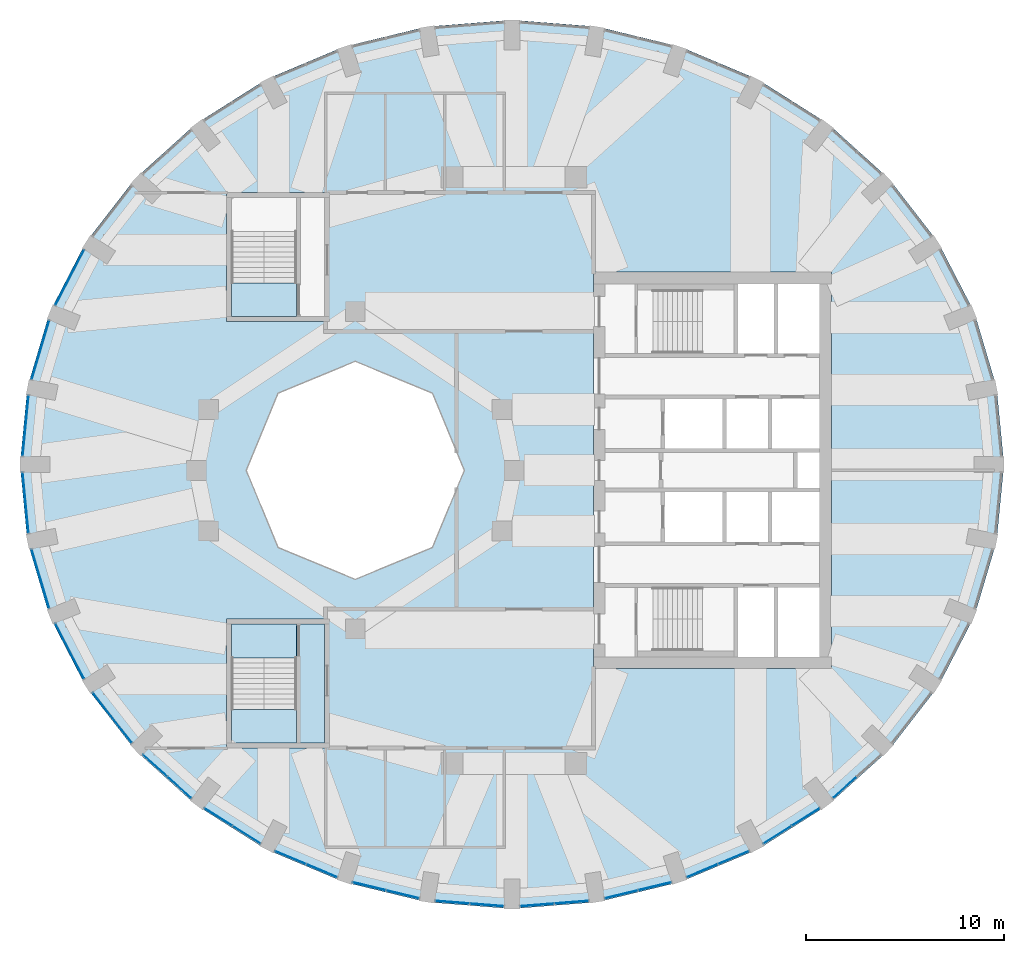
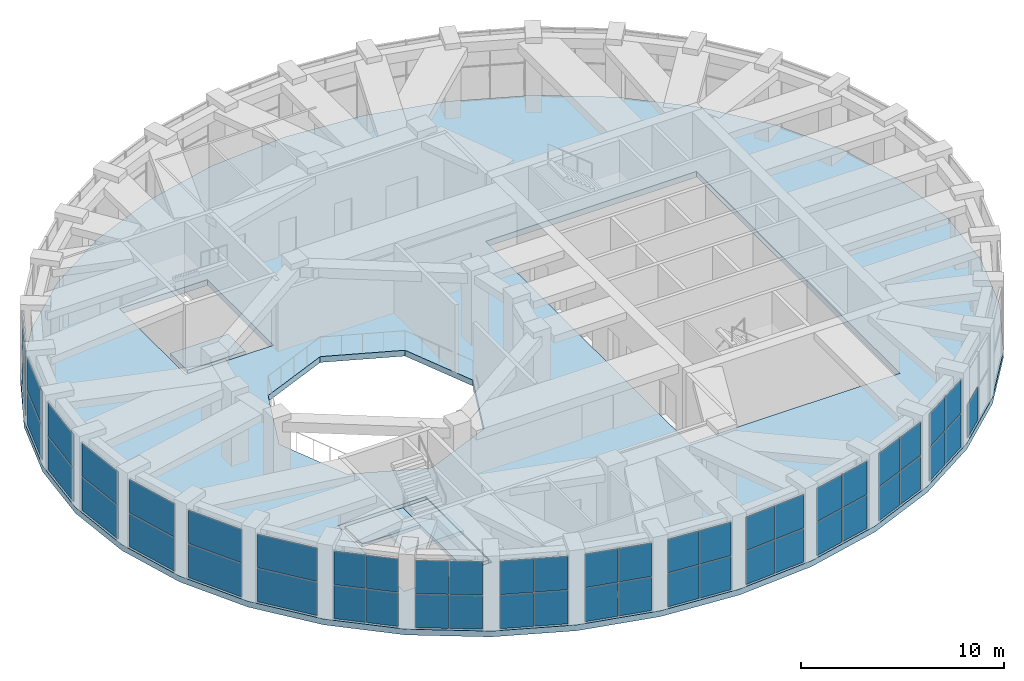
# One storey, part 11 of 17: 51 plates, 5 slabs, 18 elements without a shape of their own.
"""IFC4 building model written with IfcOpenShell, lengths in metres."""

from ifc_helpers import new_model, si_unit, direction, frame, origin, origin_2d, place, context, subcontext, project, spatial, polyline, rectangle, outline, extrude, material, layer, layer_set, type_object, element, aggregate, save


model = new_model("IFC4")

# Units and contexts
model_context = context("Model", 3, precision=1e-05, world=origin(), true_north=direction((0.0, 1.0)))
body_context = subcontext(model_context, "Body", "Model", "MODEL_VIEW")
ifc_project = project(units=[si_unit("LENGTHUNIT", "METRE"), si_unit("AREAUNIT", "SQUARE_METRE"), si_unit("VOLUMEUNIT", "CUBIC_METRE"), si_unit("PLANEANGLEUNIT", "RADIAN"), si_unit("MASSUNIT", "GRAM", prefix="KILO")], contexts=[model_context])

# Site, building, storey
site_placement = place(None, origin())
site = spatial("IfcSite", under=ifc_project, at=site_placement, CompositionType="ELEMENT")
building_placement = place(site_placement, origin())
building = spatial("IfcBuilding", under=site, at=building_placement, Name="Taillehof Tower", CompositionType="ELEMENT")
storey_placement = place(building_placement, frame((0.0, 0.0, 259.699951171875)))
storey = spatial("IfcBuildingStorey", under=building, at=storey_placement, Name="L74", CompositionType="ELEMENT", Elevation=259.699951171875)

# Curtain wall, plates
ifc_material_1 = material(Name="Aluminium curtain wall with Clear low-emissivity double glazing", Category="aluminium")
curtain_wall_type = type_object("IfcCurtainWallType", Name="Club lounge curtain wall", PredefinedType="USERDEFINED", material=ifc_material_1)
curtain_wall_1_placement = place(storey_placement, origin())
curtain_wall_1 = element("IfcCurtainWall", 1, at=curtain_wall_1_placement, inside=storey, type_object=curtain_wall_type, Name="Club lounge L74 bay 16", ObjectType="WINDOW WALL", PredefinedType="USERDEFINED")
ifc_material_2 = material(Name="Clear low-emissivity double glazing", Category="glass")
ifc_layer_1 = layer(ifc_material_2, 0.028076171875)
ifc_layer_set_1 = layer_set([ifc_layer_1], Name="Club lounge glass panel 28")
plate_type = type_object("IfcPlateType", Name="Club lounge glass panel 28", PredefinedType="CURTAIN_PANEL", material=ifc_layer_set_1)
plate_1_placement = place(storey_placement, frame((-22.3974609375, 9.7158203125, 0.050048828125), z_axis=(0.0, 0.0, 1.0), x_axis=(-0.459891218474, -0.887975262702, 0.0)))
plate_1 = element("IfcPlate", 2, at=plate_1_placement, type_object=plate_type, Name="CT4E16 panel 1.1", PredefinedType="CURTAIN_PANEL", context=body_context, shape_type="SweptSolid", body=[
    extrude(rectangle(XDim=3.11083984375, YDim=0.028076171875, at=origin_2d()), origin(), (0.0, 0.0, 1.0), 2.0),
])
plate_2_placement = place(storey_placement, frame((-22.3974609375, 9.7158203125, 2.10009765625), z_axis=(0.0, 0.0, 1.0), x_axis=(-0.459891218474, -0.887975262702, 0.0)))
plate_2 = element("IfcPlate", 3, at=plate_2_placement, type_object=plate_type, Name="CT4E16 panel 1.2", PredefinedType="CURTAIN_PANEL", context=body_context, shape_type="SweptSolid", body=[
    extrude(rectangle(XDim=3.11083984375, YDim=0.028076171875, at=origin_2d()), origin(), (0.0, 0.0, 1.0), 2.0),
])
aggregate(curtain_wall_1, [plate_1, plate_2])

curtain_wall_2_placement = place(storey_placement, origin())
curtain_wall_2 = element("IfcCurtainWall", 4, at=curtain_wall_2_placement, inside=storey, type_object=curtain_wall_type, Name="Club lounge L74 bay 17", ObjectType="WINDOW WALL", PredefinedType="USERDEFINED")
plate_3_placement = place(storey_placement, frame((-23.87158203125, 6.068603515625, 0.050048828125), z_axis=(0.0, 0.0, 1.0), x_axis=(-0.285235558707, -0.958457446134, 0.0)))
plate_3 = element("IfcPlate", 5, at=plate_3_placement, type_object=plate_type, Name="CT4E17 panel 1.1", PredefinedType="CURTAIN_PANEL", context=body_context, shape_type="SweptSolid", body=[
    extrude(rectangle(XDim=3.06494140625, YDim=0.028076171875, at=origin_2d()), origin(), (0.0, 0.0, 1.0), 2.0),
])
plate_4_placement = place(storey_placement, frame((-23.87158203125, 6.068603515625, 2.10009765625), z_axis=(0.0, 0.0, 1.0), x_axis=(-0.285235558707, -0.958457446134, 0.0)))
plate_4 = element("IfcPlate", 6, at=plate_4_placement, type_object=plate_type, Name="CT4E17 panel 1.2", PredefinedType="CURTAIN_PANEL", context=body_context, shape_type="SweptSolid", body=[
    extrude(rectangle(XDim=3.06494140625, YDim=0.028076171875, at=origin_2d()), origin(), (0.0, 0.0, 1.0), 2.0),
])
aggregate(curtain_wall_2, [plate_3, plate_4])

curtain_wall_3_placement = place(storey_placement, origin())
curtain_wall_3 = element("IfcCurtainWall", 7, at=curtain_wall_3_placement, inside=storey, type_object=curtain_wall_type, Name="Club lounge L74 bay 18", ObjectType="WINDOW WALL", PredefinedType="USERDEFINED")
plate_5_placement = place(storey_placement, frame((-24.620849609375, 2.242919921875, 0.050048828125), z_axis=(0.0, 0.0, 1.0), x_axis=(-0.0967136211, -0.995312250248, 0.0)))
plate_5 = element("IfcPlate", 8, at=plate_5_placement, type_object=plate_type, Name="CT4E18 panel 1.1", PredefinedType="CURTAIN_PANEL", context=body_context, shape_type="SweptSolid", body=[
    extrude(rectangle(XDim=3.04052734375, YDim=0.028076171875, at=origin_2d()), origin(), (0.0, 0.0, 1.0), 2.0),
])
plate_6_placement = place(storey_placement, frame((-24.620849609375, 2.242919921875, 2.10009765625), z_axis=(0.0, 0.0, 1.0), x_axis=(-0.0967136211, -0.995312250248, 0.0)))
plate_6 = element("IfcPlate", 9, at=plate_6_placement, type_object=plate_type, Name="CT4E18 panel 1.2", PredefinedType="CURTAIN_PANEL", context=body_context, shape_type="SweptSolid", body=[
    extrude(rectangle(XDim=3.04052734375, YDim=0.028076171875, at=origin_2d()), origin(), (0.0, 0.0, 1.0), 2.0),
])
aggregate(curtain_wall_3, [plate_5, plate_6])

curtain_wall_4_placement = place(storey_placement, origin())
curtain_wall_4 = element("IfcCurtainWall", 10, at=curtain_wall_4_placement, inside=storey, type_object=curtain_wall_type, Name="Club lounge L74 bay 19", ObjectType="WINDOW WALL", PredefinedType="USERDEFINED")
plate_7_placement = place(storey_placement, frame((-24.620849609375, -1.64306640625, 0.050048828125), z_axis=(0.0, 0.0, 1.0), x_axis=(0.0967136211, -0.995312250248, 0.0)))
plate_7 = element("IfcPlate", 11, at=plate_7_placement, type_object=plate_type, Name="CT4E19 panel 1.1", PredefinedType="CURTAIN_PANEL", context=body_context, shape_type="SweptSolid", body=[
    extrude(rectangle(XDim=3.04052734375, YDim=0.028076171875, at=origin_2d()), origin(), (0.0, 0.0, 1.0), 2.0),
])
plate_8_placement = place(storey_placement, frame((-24.620849609375, -1.64306640625, 2.10009765625), z_axis=(0.0, 0.0, 1.0), x_axis=(0.0967136211, -0.995312250248, 0.0)))
plate_8 = element("IfcPlate", 12, at=plate_8_placement, type_object=plate_type, Name="CT4E19 panel 1.2", PredefinedType="CURTAIN_PANEL", context=body_context, shape_type="SweptSolid", body=[
    extrude(rectangle(XDim=3.04052734375, YDim=0.028076171875, at=origin_2d()), origin(), (0.0, 0.0, 1.0), 2.0),
])
aggregate(curtain_wall_4, [plate_7, plate_8])

curtain_wall_5_placement = place(storey_placement, origin())
curtain_wall_5 = element("IfcCurtainWall", 13, at=curtain_wall_5_placement, inside=storey, type_object=curtain_wall_type, Name="Club lounge L74 bay 20", ObjectType="WINDOW WALL", PredefinedType="USERDEFINED")
plate_9_placement = place(storey_placement, frame((-23.87158203125, -5.468505859375, 0.050048828125), z_axis=(0.0, 0.0, 1.0), x_axis=(0.285235558707, -0.958457446134, 0.0)))
plate_9 = element("IfcPlate", 14, at=plate_9_placement, type_object=plate_type, Name="CT4E20 panel 1.1", PredefinedType="CURTAIN_PANEL", context=body_context, shape_type="SweptSolid", body=[
    extrude(rectangle(XDim=3.06494140625, YDim=0.028076171875, at=origin_2d()), origin(), (0.0, 0.0, 1.0), 2.0),
])
plate_10_placement = place(storey_placement, frame((-23.87158203125, -5.468505859375, 2.10009765625), z_axis=(0.0, 0.0, 1.0), x_axis=(0.285235558707, -0.958457446134, 0.0)))
plate_10 = element("IfcPlate", 15, at=plate_10_placement, type_object=plate_type, Name="CT4E20 panel 1.2", PredefinedType="CURTAIN_PANEL", context=body_context, shape_type="SweptSolid", body=[
    extrude(rectangle(XDim=3.06494140625, YDim=0.028076171875, at=origin_2d()), origin(), (0.0, 0.0, 1.0), 2.0),
])
aggregate(curtain_wall_5, [plate_9, plate_10])

curtain_wall_6_placement = place(storey_placement, origin())
curtain_wall_6 = element("IfcCurtainWall", 16, at=curtain_wall_6_placement, inside=storey, type_object=curtain_wall_type, Name="Club lounge L74 bay 21", ObjectType="WINDOW WALL", PredefinedType="USERDEFINED")
plate_11_placement = place(storey_placement, frame((-22.3974609375, -9.11572265625, 0.050048828125), z_axis=(0.0, 0.0, 1.0), x_axis=(0.459891218474, -0.887975262702, 0.0)))
plate_11 = element("IfcPlate", 17, at=plate_11_placement, type_object=plate_type, Name="CT4E21 panel 1.1", PredefinedType="CURTAIN_PANEL", context=body_context, shape_type="SweptSolid", body=[
    extrude(rectangle(XDim=3.11083984375, YDim=0.028076171875, at=origin_2d()), origin(), (0.0, 0.0, 1.0), 2.0),
])
plate_12_placement = place(storey_placement, frame((-22.3974609375, -9.11572265625, 2.10009765625), z_axis=(0.0, 0.0, 1.0), x_axis=(0.459891218474, -0.887975262702, 0.0)))
plate_12 = element("IfcPlate", 18, at=plate_12_placement, type_object=plate_type, Name="CT4E21 panel 1.2", PredefinedType="CURTAIN_PANEL", context=body_context, shape_type="SweptSolid", body=[
    extrude(rectangle(XDim=3.11083984375, YDim=0.028076171875, at=origin_2d()), origin(), (0.0, 0.0, 1.0), 2.0),
])
aggregate(curtain_wall_6, [plate_11, plate_12])

curtain_wall_7_placement = place(storey_placement, origin())
curtain_wall_7 = element("IfcCurtainWall", 19, at=curtain_wall_7_placement, inside=storey, type_object=curtain_wall_type, Name="Club lounge L74 bay 22", ObjectType="WINDOW WALL", PredefinedType="USERDEFINED")
plate_13_placement = place(storey_placement, frame((-20.2451171875, -12.472900390625, 0.050048828125), z_axis=(0.0, 0.0, 1.0), x_axis=(0.613902818005, -0.789381612432, 0.0)))
plate_13 = element("IfcPlate", 20, at=plate_13_placement, type_object=plate_type, Name="CT4E22 panel 1.1", PredefinedType="CURTAIN_PANEL", context=body_context, shape_type="SweptSolid", body=[
    extrude(rectangle(XDim=3.171630859375, YDim=0.028076171875, at=origin_2d()), origin(), (0.0, 0.0, 1.0), 2.0),
])
plate_14_placement = place(storey_placement, frame((-20.2451171875, -12.472900390625, 2.10009765625), z_axis=(0.0, 0.0, 1.0), x_axis=(0.613902818005, -0.789381612432, 0.0)))
plate_14 = element("IfcPlate", 21, at=plate_14_placement, type_object=plate_type, Name="CT4E22 panel 1.2", PredefinedType="CURTAIN_PANEL", context=body_context, shape_type="SweptSolid", body=[
    extrude(rectangle(XDim=3.171630859375, YDim=0.028076171875, at=origin_2d()), origin(), (0.0, 0.0, 1.0), 2.0),
])
aggregate(curtain_wall_7, [plate_13, plate_14])

curtain_wall_8_placement = place(storey_placement, origin())
curtain_wall_8 = element("IfcCurtainWall", 22, at=curtain_wall_8_placement, inside=storey, type_object=curtain_wall_type, Name="Club lounge L74 bay 23", ObjectType="WINDOW WALL", PredefinedType="USERDEFINED")
plate_15_placement = place(storey_placement, frame((-18.09326171875, -14.8876953125, 0.050048828125), z_axis=(0.0, 0.0, 1.0), x_axis=(0.74316593792, -0.669107157872, 0.0)))
plate_15 = element("IfcPlate", 23, at=plate_15_placement, type_object=plate_type, Name="CT4E23 panel 1.1", PredefinedType="CURTAIN_PANEL", context=body_context, shape_type="SweptSolid", body=[
    extrude(rectangle(XDim=1.594970703125, YDim=0.028076171875, at=origin_2d()), origin(), (0.0, 0.0, 1.0), 2.0),
])
plate_16_placement = place(storey_placement, frame((-18.09326171875, -14.8876953125, 2.10009765625), z_axis=(0.0, 0.0, 1.0), x_axis=(0.74316593792, -0.669107157872, 0.0)))
plate_16 = element("IfcPlate", 24, at=plate_16_placement, type_object=plate_type, Name="CT4E23 panel 1.2", PredefinedType="CURTAIN_PANEL", context=body_context, shape_type="SweptSolid", body=[
    extrude(rectangle(XDim=1.594970703125, YDim=0.028076171875, at=origin_2d()), origin(), (0.0, 0.0, 1.0), 2.0),
])
plate_17_placement = place(storey_placement, frame((-16.870849609375, -15.98828125, 0.050048828125), z_axis=(0.0, 0.0, 1.0), x_axis=(0.74316593792, -0.669107157872, 0.0)))
plate_17 = element("IfcPlate", 25, at=plate_17_placement, type_object=plate_type, Name="CT4E23 panel 2.1", PredefinedType="CURTAIN_PANEL", context=body_context, shape_type="SweptSolid", body=[
    extrude(rectangle(XDim=1.594970703125, YDim=0.028076171875, at=origin_2d()), origin(), (0.0, 0.0, 1.0), 2.0),
])
plate_18_placement = place(storey_placement, frame((-16.870849609375, -15.98828125, 2.10009765625), z_axis=(0.0, 0.0, 1.0), x_axis=(0.74316593792, -0.669107157872, 0.0)))
plate_18 = element("IfcPlate", 26, at=plate_18_placement, type_object=plate_type, Name="CT4E23 panel 2.2", PredefinedType="CURTAIN_PANEL", context=body_context, shape_type="SweptSolid", body=[
    extrude(rectangle(XDim=1.594970703125, YDim=0.028076171875, at=origin_2d()), origin(), (0.0, 0.0, 1.0), 2.0),
])
aggregate(curtain_wall_8, [plate_15, plate_16, plate_17, plate_18])

curtain_wall_9_placement = place(storey_placement, origin())
curtain_wall_9 = element("IfcCurtainWall", 27, at=curtain_wall_9_placement, inside=storey, type_object=curtain_wall_type, Name="Club lounge L74 bay 24", ObjectType="WINDOW WALL", PredefinedType="USERDEFINED")
plate_19_placement = place(storey_placement, frame((-14.903564453125, -17.474853515625, 0.050048828125), z_axis=(0.0, 0.0, 1.0), x_axis=(0.845929695916, -0.533294430468, 0.0)))
plate_19 = element("IfcPlate", 28, at=plate_19_placement, type_object=plate_type, Name="CT4E24 panel 1.1", PredefinedType="CURTAIN_PANEL", context=body_context, shape_type="SweptSolid", body=[
    extrude(rectangle(XDim=1.628662109375, YDim=0.028076171875, at=origin_2d()), origin(), (0.0, 0.0, 1.0), 2.0),
])
plate_20_placement = place(storey_placement, frame((-14.903564453125, -17.474853515625, 2.10009765625), z_axis=(0.0, 0.0, 1.0), x_axis=(0.845929695916, -0.533294430468, 0.0)))
plate_20 = element("IfcPlate", 29, at=plate_20_placement, type_object=plate_type, Name="CT4E24 panel 1.2", PredefinedType="CURTAIN_PANEL", context=body_context, shape_type="SweptSolid", body=[
    extrude(rectangle(XDim=1.628662109375, YDim=0.028076171875, at=origin_2d()), origin(), (0.0, 0.0, 1.0), 2.0),
])
plate_21_placement = place(storey_placement, frame((-13.483642578125, -18.3701171875, 0.050048828125), z_axis=(0.0, 0.0, 1.0), x_axis=(0.845929695916, -0.533294430468, 0.0)))
plate_21 = element("IfcPlate", 30, at=plate_21_placement, type_object=plate_type, Name="CT4E24 panel 2.1", PredefinedType="CURTAIN_PANEL", context=body_context, shape_type="SweptSolid", body=[
    extrude(rectangle(XDim=1.628662109375, YDim=0.028076171875, at=origin_2d()), origin(), (0.0, 0.0, 1.0), 2.0),
])
plate_22_placement = place(storey_placement, frame((-13.483642578125, -18.3701171875, 2.10009765625), z_axis=(0.0, 0.0, 1.0), x_axis=(0.845929695916, -0.533294430468, 0.0)))
plate_22 = element("IfcPlate", 31, at=plate_22_placement, type_object=plate_type, Name="CT4E24 panel 2.2", PredefinedType="CURTAIN_PANEL", context=body_context, shape_type="SweptSolid", body=[
    extrude(rectangle(XDim=1.628662109375, YDim=0.028076171875, at=origin_2d()), origin(), (0.0, 0.0, 1.0), 2.0),
])
aggregate(curtain_wall_9, [plate_19, plate_20, plate_21, plate_22])

curtain_wall_10_placement = place(storey_placement, origin())
curtain_wall_10 = element("IfcCurtainWall", 32, at=curtain_wall_10_placement, inside=storey, type_object=curtain_wall_type, Name="Club lounge L74 bay 25", ObjectType="WINDOW WALL", PredefinedType="USERDEFINED")
plate_23_placement = place(storey_placement, frame((-11.26806640625, -19.522216796875, 0.050048828125), z_axis=(0.0, 0.0, 1.0), x_axis=(0.922037438233, -0.387100713636, 0.0)))
plate_23 = element("IfcPlate", 33, at=plate_23_placement, type_object=plate_type, Name="CT4E25 panel 1.1", PredefinedType="CURTAIN_PANEL", context=body_context, shape_type="SweptSolid", body=[
    extrude(rectangle(XDim=1.65771484375, YDim=0.028076171875, at=origin_2d()), origin(), (0.0, 0.0, 1.0), 2.0),
])
plate_24_placement = place(storey_placement, frame((-11.26806640625, -19.522216796875, 2.10009765625), z_axis=(0.0, 0.0, 1.0), x_axis=(0.922037438233, -0.387100713636, 0.0)))
plate_24 = element("IfcPlate", 34, at=plate_24_placement, type_object=plate_type, Name="CT4E25 panel 1.2", PredefinedType="CURTAIN_PANEL", context=body_context, shape_type="SweptSolid", body=[
    extrude(rectangle(XDim=1.65771484375, YDim=0.028076171875, at=origin_2d()), origin(), (0.0, 0.0, 1.0), 2.0),
])
plate_25_placement = place(storey_placement, frame((-9.693603515625, -20.183349609375, 0.050048828125), z_axis=(0.0, 0.0, 1.0), x_axis=(0.922037438233, -0.387100713636, 0.0)))
plate_25 = element("IfcPlate", 35, at=plate_25_placement, type_object=plate_type, Name="CT4E25 panel 2.1", PredefinedType="CURTAIN_PANEL", context=body_context, shape_type="SweptSolid", body=[
    extrude(rectangle(XDim=1.65771484375, YDim=0.028076171875, at=origin_2d()), origin(), (0.0, 0.0, 1.0), 2.0),
])
plate_26_placement = place(storey_placement, frame((-9.693603515625, -20.183349609375, 2.10009765625), z_axis=(0.0, 0.0, 1.0), x_axis=(0.922037438233, -0.387100713636, 0.0)))
plate_26 = element("IfcPlate", 36, at=plate_26_placement, type_object=plate_type, Name="CT4E25 panel 2.2", PredefinedType="CURTAIN_PANEL", context=body_context, shape_type="SweptSolid", body=[
    extrude(rectangle(XDim=1.65771484375, YDim=0.028076171875, at=origin_2d()), origin(), (0.0, 0.0, 1.0), 2.0),
])
aggregate(curtain_wall_10, [plate_23, plate_24, plate_25, plate_26])

curtain_wall_11_placement = place(storey_placement, origin())
curtain_wall_11 = element("IfcCurtainWall", 37, at=curtain_wall_11_placement, inside=storey, type_object=curtain_wall_type, Name="Club lounge L74 bay 26", ObjectType="WINDOW WALL", PredefinedType="USERDEFINED")
plate_27_placement = place(storey_placement, frame((-7.296142578125, -20.968994140625, 0.050048828125), z_axis=(0.0, 0.0, 1.0), x_axis=(0.972112616855, -0.234514520129, 0.0)))
plate_27 = element("IfcPlate", 38, at=plate_27_placement, type_object=plate_type, Name="CT4E26 panel 1.1", PredefinedType="CURTAIN_PANEL", context=body_context, shape_type="SweptSolid", body=[
    extrude(rectangle(XDim=1.67919921875, YDim=0.028076171875, at=origin_2d()), origin(), (0.0, 0.0, 1.0), 2.0),
])
plate_28_placement = place(storey_placement, frame((-7.296142578125, -20.968994140625, 2.10009765625), z_axis=(0.0, 0.0, 1.0), x_axis=(0.972112616855, -0.234514520129, 0.0)))
plate_28 = element("IfcPlate", 39, at=plate_28_placement, type_object=plate_type, Name="CT4E26 panel 1.2", PredefinedType="CURTAIN_PANEL", context=body_context, shape_type="SweptSolid", body=[
    extrude(rectangle(XDim=1.67919921875, YDim=0.028076171875, at=origin_2d()), origin(), (0.0, 0.0, 1.0), 2.0),
])
plate_29_placement = place(storey_placement, frame((-5.615234375, -21.37451171875, 0.050048828125), z_axis=(0.0, 0.0, 1.0), x_axis=(0.972112616855, -0.234514520129, 0.0)))
plate_29 = element("IfcPlate", 40, at=plate_29_placement, type_object=plate_type, Name="CT4E26 panel 2.1", PredefinedType="CURTAIN_PANEL", context=body_context, shape_type="SweptSolid", body=[
    extrude(rectangle(XDim=1.67919921875, YDim=0.028076171875, at=origin_2d()), origin(), (0.0, 0.0, 1.0), 2.0),
])
plate_30_placement = place(storey_placement, frame((-5.615234375, -21.37451171875, 2.10009765625), z_axis=(0.0, 0.0, 1.0), x_axis=(0.972112616855, -0.234514520129, 0.0)))
plate_30 = element("IfcPlate", 41, at=plate_30_placement, type_object=plate_type, Name="CT4E26 panel 2.2", PredefinedType="CURTAIN_PANEL", context=body_context, shape_type="SweptSolid", body=[
    extrude(rectangle(XDim=1.67919921875, YDim=0.028076171875, at=origin_2d()), origin(), (0.0, 0.0, 1.0), 2.0),
])
aggregate(curtain_wall_11, [plate_27, plate_28, plate_29, plate_30])

curtain_wall_12_placement = place(storey_placement, origin())
curtain_wall_12 = element("IfcCurtainWall", 42, at=curtain_wall_12_placement, inside=storey, type_object=curtain_wall_type, Name="Club lounge L74 bay 27", ObjectType="WINDOW WALL", PredefinedType="USERDEFINED")
plate_31_placement = place(storey_placement, frame((-3.107421875, -21.772705078125, 0.050048828125), z_axis=(0.0, 0.0, 1.0), x_axis=(0.996912140109, -0.078525059075, 0.0)))
plate_31 = element("IfcPlate", 43, at=plate_31_placement, type_object=plate_type, Name="CT4E27 panel 1.1", PredefinedType="CURTAIN_PANEL", context=body_context, shape_type="SweptSolid", body=[
    extrude(rectangle(XDim=1.6904296875, YDim=0.028076171875, at=origin_2d()), origin(), (0.0, 0.0, 1.0), 2.0),
])
plate_32_placement = place(storey_placement, frame((-3.107421875, -21.772705078125, 2.10009765625), z_axis=(0.0, 0.0, 1.0), x_axis=(0.996912140109, -0.078525059075, 0.0)))
plate_32 = element("IfcPlate", 44, at=plate_32_placement, type_object=plate_type, Name="CT4E27 panel 1.2", PredefinedType="CURTAIN_PANEL", context=body_context, shape_type="SweptSolid", body=[
    extrude(rectangle(XDim=1.6904296875, YDim=0.028076171875, at=origin_2d()), origin(), (0.0, 0.0, 1.0), 2.0),
])
plate_33_placement = place(storey_placement, frame((-1.37255859375, -21.909423828125, 0.050048828125), z_axis=(0.0, 0.0, 1.0), x_axis=(0.996912140109, -0.078525059075, 0.0)))
plate_33 = element("IfcPlate", 45, at=plate_33_placement, type_object=plate_type, Name="CT4E27 panel 2.1", PredefinedType="CURTAIN_PANEL", context=body_context, shape_type="SweptSolid", body=[
    extrude(rectangle(XDim=1.6904296875, YDim=0.028076171875, at=origin_2d()), origin(), (0.0, 0.0, 1.0), 2.0),
])
plate_34_placement = place(storey_placement, frame((-1.37255859375, -21.909423828125, 2.10009765625), z_axis=(0.0, 0.0, 1.0), x_axis=(0.996912140109, -0.078525059075, 0.0)))
plate_34 = element("IfcPlate", 46, at=plate_34_placement, type_object=plate_type, Name="CT4E27 panel 2.2", PredefinedType="CURTAIN_PANEL", context=body_context, shape_type="SweptSolid", body=[
    extrude(rectangle(XDim=1.6904296875, YDim=0.028076171875, at=origin_2d()), origin(), (0.0, 0.0, 1.0), 2.0),
])
aggregate(curtain_wall_12, [plate_31, plate_32, plate_33, plate_34])

curtain_wall_13_placement = place(storey_placement, origin())
curtain_wall_13 = element("IfcCurtainWall", 47, at=curtain_wall_13_placement, inside=storey, type_object=curtain_wall_type, Name="Club lounge L74 bay 28", ObjectType="WINDOW WALL", PredefinedType="USERDEFINED")
plate_35_placement = place(storey_placement, frame((1.172607421875, -21.909423828125, 0.050048828125), z_axis=(0.0, 0.0, 1.0), x_axis=(0.996912140109, 0.078525059075, 0.0)))
plate_35 = element("IfcPlate", 48, at=plate_35_placement, type_object=plate_type, Name="CT4E28 panel 1.1", PredefinedType="CURTAIN_PANEL", context=body_context, shape_type="SweptSolid", body=[
    extrude(rectangle(XDim=1.6904296875, YDim=0.028076171875, at=origin_2d()), origin(), (0.0, 0.0, 1.0), 2.0),
])
plate_36_placement = place(storey_placement, frame((1.172607421875, -21.909423828125, 2.10009765625), z_axis=(0.0, 0.0, 1.0), x_axis=(0.996912140109, 0.078525059075, 0.0)))
plate_36 = element("IfcPlate", 49, at=plate_36_placement, type_object=plate_type, Name="CT4E28 panel 1.2", PredefinedType="CURTAIN_PANEL", context=body_context, shape_type="SweptSolid", body=[
    extrude(rectangle(XDim=1.6904296875, YDim=0.028076171875, at=origin_2d()), origin(), (0.0, 0.0, 1.0), 2.0),
])
plate_37_placement = place(storey_placement, frame((2.907470703125, -21.772705078125, 0.050048828125), z_axis=(0.0, 0.0, 1.0), x_axis=(0.996912140109, 0.078525059075, 0.0)))
plate_37 = element("IfcPlate", 50, at=plate_37_placement, type_object=plate_type, Name="CT4E28 panel 2.1", PredefinedType="CURTAIN_PANEL", context=body_context, shape_type="SweptSolid", body=[
    extrude(rectangle(XDim=1.6904296875, YDim=0.028076171875, at=origin_2d()), origin(), (0.0, 0.0, 1.0), 2.0),
])
plate_38_placement = place(storey_placement, frame((2.907470703125, -21.772705078125, 2.10009765625), z_axis=(0.0, 0.0, 1.0), x_axis=(0.996912140109, 0.078525059075, 0.0)))
plate_38 = element("IfcPlate", 51, at=plate_38_placement, type_object=plate_type, Name="CT4E28 panel 2.2", PredefinedType="CURTAIN_PANEL", context=body_context, shape_type="SweptSolid", body=[
    extrude(rectangle(XDim=1.6904296875, YDim=0.028076171875, at=origin_2d()), origin(), (0.0, 0.0, 1.0), 2.0),
])
aggregate(curtain_wall_13, [plate_35, plate_36, plate_37, plate_38])

curtain_wall_14_placement = place(storey_placement, origin())
curtain_wall_14 = element("IfcCurtainWall", 52, at=curtain_wall_14_placement, inside=storey, type_object=curtain_wall_type, Name="Club lounge L74 bay 29", ObjectType="WINDOW WALL", PredefinedType="USERDEFINED")
plate_39_placement = place(storey_placement, frame((5.415283203125, -21.37451171875, 0.050048828125), z_axis=(0.0, 0.0, 1.0), x_axis=(0.972112616855, 0.234514520129, 0.0)))
plate_39 = element("IfcPlate", 53, at=plate_39_placement, type_object=plate_type, Name="CT4E29 panel 1.1", PredefinedType="CURTAIN_PANEL", context=body_context, shape_type="SweptSolid", body=[
    extrude(rectangle(XDim=1.67919921875, YDim=0.028076171875, at=origin_2d()), origin(), (0.0, 0.0, 1.0), 2.0),
])
plate_40_placement = place(storey_placement, frame((5.415283203125, -21.37451171875, 2.10009765625), z_axis=(0.0, 0.0, 1.0), x_axis=(0.972112616855, 0.234514520129, 0.0)))
plate_40 = element("IfcPlate", 54, at=plate_40_placement, type_object=plate_type, Name="CT4E29 panel 1.2", PredefinedType="CURTAIN_PANEL", context=body_context, shape_type="SweptSolid", body=[
    extrude(rectangle(XDim=1.67919921875, YDim=0.028076171875, at=origin_2d()), origin(), (0.0, 0.0, 1.0), 2.0),
])
plate_41_placement = place(storey_placement, frame((7.09619140625, -20.968994140625, 0.050048828125), z_axis=(0.0, 0.0, 1.0), x_axis=(0.972112616855, 0.234514520129, 0.0)))
plate_41 = element("IfcPlate", 55, at=plate_41_placement, type_object=plate_type, Name="CT4E29 panel 2.1", PredefinedType="CURTAIN_PANEL", context=body_context, shape_type="SweptSolid", body=[
    extrude(rectangle(XDim=1.67919921875, YDim=0.028076171875, at=origin_2d()), origin(), (0.0, 0.0, 1.0), 2.0),
])
plate_42_placement = place(storey_placement, frame((7.09619140625, -20.968994140625, 2.10009765625), z_axis=(0.0, 0.0, 1.0), x_axis=(0.972112616855, 0.234514520129, 0.0)))
plate_42 = element("IfcPlate", 56, at=plate_42_placement, type_object=plate_type, Name="CT4E29 panel 2.2", PredefinedType="CURTAIN_PANEL", context=body_context, shape_type="SweptSolid", body=[
    extrude(rectangle(XDim=1.67919921875, YDim=0.028076171875, at=origin_2d()), origin(), (0.0, 0.0, 1.0), 2.0),
])
aggregate(curtain_wall_14, [plate_39, plate_40, plate_41, plate_42])

curtain_wall_15_placement = place(storey_placement, origin())
curtain_wall_15 = element("IfcCurtainWall", 57, at=curtain_wall_15_placement, inside=storey, type_object=curtain_wall_type, Name="Club lounge L74 bay 30", ObjectType="WINDOW WALL", PredefinedType="USERDEFINED")
plate_43_placement = place(storey_placement, frame((9.493408203125, -20.183349609375, 0.050048828125), z_axis=(0.0, 0.0, 1.0), x_axis=(0.922037438233, 0.387100713636, 0.0)))
plate_43 = element("IfcPlate", 58, at=plate_43_placement, type_object=plate_type, Name="CT4E30 panel 1.1", PredefinedType="CURTAIN_PANEL", context=body_context, shape_type="SweptSolid", body=[
    extrude(rectangle(XDim=1.65771484375, YDim=0.028076171875, at=origin_2d()), origin(), (0.0, 0.0, 1.0), 2.0),
])
plate_44_placement = place(storey_placement, frame((9.493408203125, -20.183349609375, 2.10009765625), z_axis=(0.0, 0.0, 1.0), x_axis=(0.922037438233, 0.387100713636, 0.0)))
plate_44 = element("IfcPlate", 59, at=plate_44_placement, type_object=plate_type, Name="CT4E30 panel 1.2", PredefinedType="CURTAIN_PANEL", context=body_context, shape_type="SweptSolid", body=[
    extrude(rectangle(XDim=1.65771484375, YDim=0.028076171875, at=origin_2d()), origin(), (0.0, 0.0, 1.0), 2.0),
])
plate_45_placement = place(storey_placement, frame((11.068115234375, -19.522216796875, 0.050048828125), z_axis=(0.0, 0.0, 1.0), x_axis=(0.922037438233, 0.387100713636, 0.0)))
plate_45 = element("IfcPlate", 60, at=plate_45_placement, type_object=plate_type, Name="CT4E30 panel 2.1", PredefinedType="CURTAIN_PANEL", context=body_context, shape_type="SweptSolid", body=[
    extrude(rectangle(XDim=1.65771484375, YDim=0.028076171875, at=origin_2d()), origin(), (0.0, 0.0, 1.0), 2.0),
])
plate_46_placement = place(storey_placement, frame((11.068115234375, -19.522216796875, 2.10009765625), z_axis=(0.0, 0.0, 1.0), x_axis=(0.922037438233, 0.387100713636, 0.0)))
plate_46 = element("IfcPlate", 61, at=plate_46_placement, type_object=plate_type, Name="CT4E30 panel 2.2", PredefinedType="CURTAIN_PANEL", context=body_context, shape_type="SweptSolid", body=[
    extrude(rectangle(XDim=1.65771484375, YDim=0.028076171875, at=origin_2d()), origin(), (0.0, 0.0, 1.0), 2.0),
])
aggregate(curtain_wall_15, [plate_43, plate_44, plate_45, plate_46])

curtain_wall_16_placement = place(storey_placement, origin())
curtain_wall_16 = element("IfcCurtainWall", 62, at=curtain_wall_16_placement, inside=storey, type_object=curtain_wall_type, Name="Club lounge L74 bay 31", ObjectType="WINDOW WALL", PredefinedType="USERDEFINED")
plate_47_placement = place(storey_placement, frame((13.28369140625, -18.3701171875, 0.050048828125), z_axis=(0.0, 0.0, 1.0), x_axis=(0.845929695916, 0.533294430468, 0.0)))
plate_47 = element("IfcPlate", 63, at=plate_47_placement, type_object=plate_type, Name="CT4E31 panel 1.1", PredefinedType="CURTAIN_PANEL", context=body_context, shape_type="SweptSolid", body=[
    extrude(rectangle(XDim=1.628662109375, YDim=0.028076171875, at=origin_2d()), origin(), (0.0, 0.0, 1.0), 2.0),
])
plate_48_placement = place(storey_placement, frame((13.28369140625, -18.3701171875, 2.10009765625), z_axis=(0.0, 0.0, 1.0), x_axis=(0.845929695916, 0.533294430468, 0.0)))
plate_48 = element("IfcPlate", 64, at=plate_48_placement, type_object=plate_type, Name="CT4E31 panel 1.2", PredefinedType="CURTAIN_PANEL", context=body_context, shape_type="SweptSolid", body=[
    extrude(rectangle(XDim=1.628662109375, YDim=0.028076171875, at=origin_2d()), origin(), (0.0, 0.0, 1.0), 2.0),
])
plate_49_placement = place(storey_placement, frame((14.70361328125, -17.474853515625, 0.050048828125), z_axis=(0.0, 0.0, 1.0), x_axis=(0.845929695916, 0.533294430468, 0.0)))
plate_49 = element("IfcPlate", 65, at=plate_49_placement, type_object=plate_type, Name="CT4E31 panel 2.1", PredefinedType="CURTAIN_PANEL", context=body_context, shape_type="SweptSolid", body=[
    extrude(rectangle(XDim=1.628662109375, YDim=0.028076171875, at=origin_2d()), origin(), (0.0, 0.0, 1.0), 2.0),
])
plate_50_placement = place(storey_placement, frame((14.70361328125, -17.474853515625, 2.10009765625), z_axis=(0.0, 0.0, 1.0), x_axis=(0.845929695916, 0.533294430468, 0.0)))
plate_50 = element("IfcPlate", 66, at=plate_50_placement, type_object=plate_type, Name="CT4E31 panel 2.2", PredefinedType="CURTAIN_PANEL", context=body_context, shape_type="SweptSolid", body=[
    extrude(rectangle(XDim=1.628662109375, YDim=0.028076171875, at=origin_2d()), origin(), (0.0, 0.0, 1.0), 2.0),
])
aggregate(curtain_wall_16, [plate_47, plate_48, plate_49, plate_50])

# Curtain wall, plate
curtain_wall_17_placement = place(storey_placement, origin())
curtain_wall_17 = element("IfcCurtainWall", 67, at=curtain_wall_17_placement, inside=storey, type_object=curtain_wall_type, Name="Club lounge L74 bay 32", ObjectType="WINDOW WALL", PredefinedType="USERDEFINED")
plate_51_placement = place(storey_placement, frame((16.6708984375, -15.98828125, 0.050048828125), z_axis=(0.0, 0.0, 1.0), x_axis=(0.74316593792, 0.669107157872, 0.0)))
plate_51 = element("IfcPlate", 68, at=plate_51_placement, type_object=plate_type, Name="CT4E32 panel 1.1", PredefinedType="CURTAIN_PANEL", context=body_context, shape_type="SweptSolid", body=[
    extrude(rectangle(XDim=1.594970703125, YDim=0.028076171875, at=origin_2d()), origin(), (0.0, 0.0, 1.0), 2.0),
])
aggregate(curtain_wall_17, [plate_51])

# Slab
ifc_material_3 = material(Name="Concrete C40/50", Category="concrete")
ifc_layer_2 = layer(ifc_material_3, 0.35009765625)
ifc_layer_set_2 = layer_set([ifc_layer_2], Name="Floor slab 350")
slab_type_1 = type_object("IfcSlabType", Name="Floor slab 350", PredefinedType="FLOOR", material=ifc_layer_set_2)
slab_1_placement = place(storey_placement, frame((0.0, 0.0, -0.349853515625)))
element("IfcSlab", 69, at=slab_1_placement, inside=storey, type_object=slab_type_1, Name="Floor slab L74", PredefinedType="FLOOR", context=body_context, shape_type="SweptSolid", body=[
    extrude(outline(polyline([(24.699951171875, 0.300048828125), (24.3232421875, 4.189697265625), (23.204345703125, 7.961181640625), (21.37744140625, 11.5), (18.89794921875, 14.698486328125), (15.841064453125, 17.45947265625), (12.300048828125, 19.698974609375), (8.382080078125, 21.34912109375), (4.20654296875, 22.359619140625), (-0.10009765625, 22.699951171875), (-4.406494140625, 22.359619140625), (-8.58203125, 21.34912109375), (-12.5, 19.698974609375), (-16.041015625, 17.45947265625), (-19.097900390625, 14.698486328125), (-21.577392578125, 11.5), (-23.404296875, 7.961181640625), (-24.523193359375, 4.189697265625), (-24.89990234375, 0.300048828125), (-24.523193359375, -3.589599609375), (-23.404296875, -7.361328125), (-21.577392578125, -10.89990234375), (-19.097900390625, -14.098388671875), (-16.041015625, -16.859375), (-12.5, -19.09912109375), (-8.58203125, -20.7490234375), (-4.406494140625, -21.759765625), (-0.10009765625, -22.10009765625), (4.20654296875, -21.759765625), (8.382080078125, -20.7490234375), (12.300048828125, -19.09912109375), (15.841064453125, -16.859375), (18.89794921875, -14.098388671875), (21.37744140625, -10.89990234375), (23.204345703125, -7.361328125), (24.3232421875, -3.589599609375), (24.699951171875, 0.300048828125)]), holes=[polyline([(-14.5, -7.5), (-9.5, -7.5), (-9.5, -14.0), (-14.5, -14.0), (-14.5, -7.5)]), polyline([(-8.0, -5.5), (-11.88916015625, -3.88916015625), (-13.5, 0.0), (-11.88916015625, 3.88916015625), (-8.0, 5.5), (-4.11083984375, 3.88916015625), (-2.5, 0.0), (-4.11083984375, -3.88916015625), (-8.0, -5.5)]), polyline([(16.0, 10.0), (16.0, -10.0), (4.0, -10.0), (4.0, 10.0), (16.0, 10.0)]), polyline([(-14.5, 14.0), (-9.5, 14.0), (-9.5, 7.5), (-14.5, 7.5), (-14.5, 14.0)])]), origin(), (0.0, 0.0, 1.0), 0.349853515625),
])

# Stair, slab
ifc_material_4 = material(Name="Concrete C40/50", Category="concrete")
stair_type = type_object("IfcStairType", Name="Exit stair half-turn", PredefinedType="HALF_TURN_STAIR", material=ifc_material_4)
stair_placement = place(storey_placement, origin())
stair = element("IfcStair", 70, at=stair_placement, inside=storey, type_object=stair_type, Name="Exit stair S4", PredefinedType="HALF_TURN_STAIR")
ifc_material_5 = material(Name="Concrete C40/50", Category="concrete")
ifc_layer_3 = layer(ifc_material_5, 0.2099609375)
ifc_layer_set_3 = layer_set([ifc_layer_3], Name="Stair landing C40/50 210")
slab_type_2 = type_object("IfcSlabType", Name="Stair landing C40/50 210", PredefinedType="LANDING", material=ifc_layer_set_3)
slab_2_placement = place(storey_placement, frame((0.0, 0.0, 2.0400390625)))
slab_2 = element("IfcSlab", 71, at=slab_2_placement, type_object=slab_type_2, Name="S4 landing 1", PredefinedType="LANDING", context=body_context, shape_type="SweptSolid", body=[
    extrude(outline(polyline([(-14.25, -12.050048828125), (-14.25, -13.75), (-10.949951171875, -13.75), (-10.949951171875, -12.050048828125), (-14.25, -12.050048828125)])), origin(), (0.0, 0.0, 1.0), 0.2099609375),
])
aggregate(stair, [slab_2])

# Slabs
slab_3_placement = place(storey_placement, frame((0.0, 0.0, -0.2099609375)))
element("IfcSlab", 72, at=slab_3_placement, inside=storey, type_object=slab_type_2, Name="Stair S3 floor landing", PredefinedType="LANDING", context=body_context, shape_type="SweptSolid", body=[
    extrude(outline(polyline([(-14.25, 7.75), (-14.25, 9.449951171875), (-10.949951171875, 9.449951171875), (-10.949951171875, 7.75), (-14.25, 7.75)])), origin(), (0.0, 0.0, 1.0), 0.2099609375),
])
slab_4_placement = place(storey_placement, frame((0.0, 0.0, -0.2099609375)))
element("IfcSlab", 73, at=slab_4_placement, inside=storey, type_object=slab_type_2, Name="Stair S4 floor landing", PredefinedType="LANDING", context=body_context, shape_type="SweptSolid", body=[
    extrude(outline(polyline([(-14.25, -7.75), (-14.25, -9.449951171875), (-10.949951171875, -9.449951171875), (-10.949951171875, -7.75), (-14.25, -7.75)])), origin(), (0.0, 0.0, 1.0), 0.2099609375),
])
slab_5_placement = place(storey_placement, frame((0.0, 0.0, -0.2099609375)))
element("IfcSlab", 74, at=slab_5_placement, inside=storey, type_object=slab_type_2, Name="Stair lobby S4 floor", PredefinedType="LANDING", context=body_context, shape_type="SweptSolid", body=[
    extrude(outline(polyline([(-10.949951171875, -13.75), (-9.550048828125, -13.75), (-9.550048828125, -7.75), (-10.949951171875, -7.75), (-10.949951171875, -13.75)])), origin(), (0.0, 0.0, 1.0), 0.2099609375),
])

save(model, "model.ifc")
